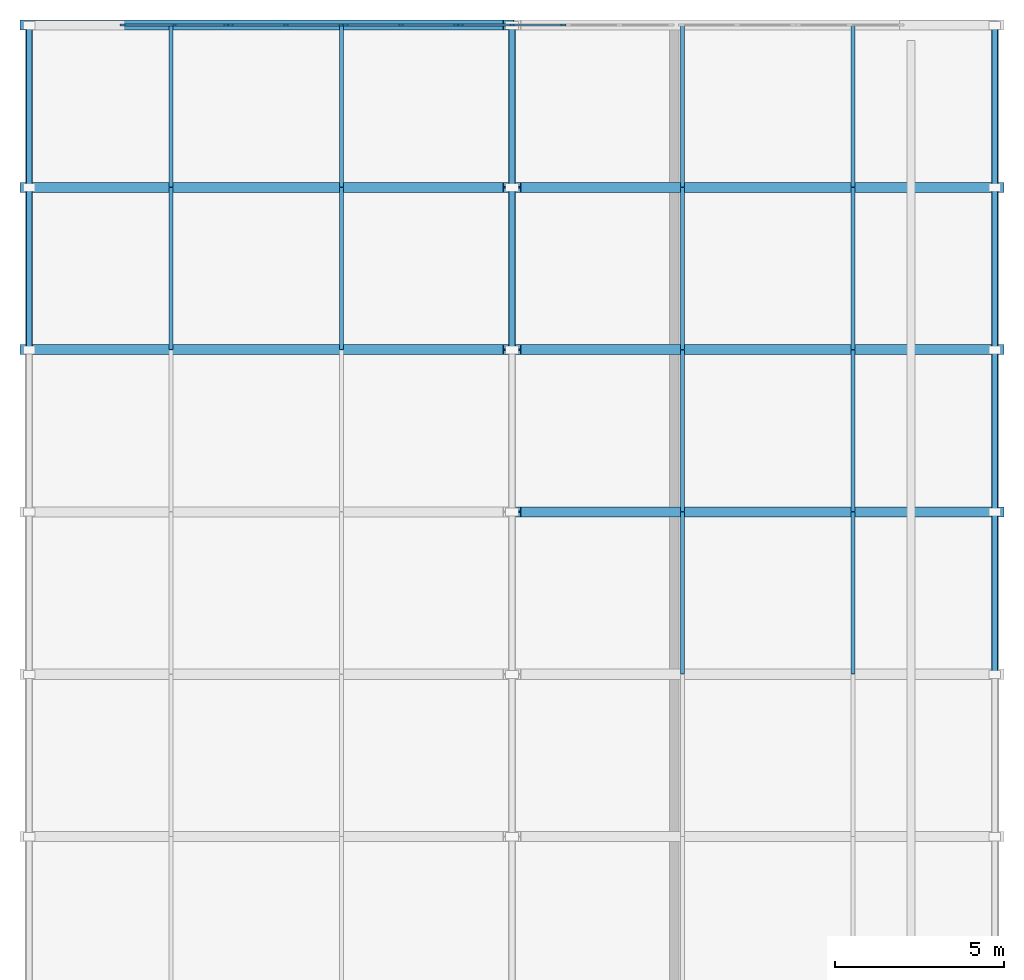
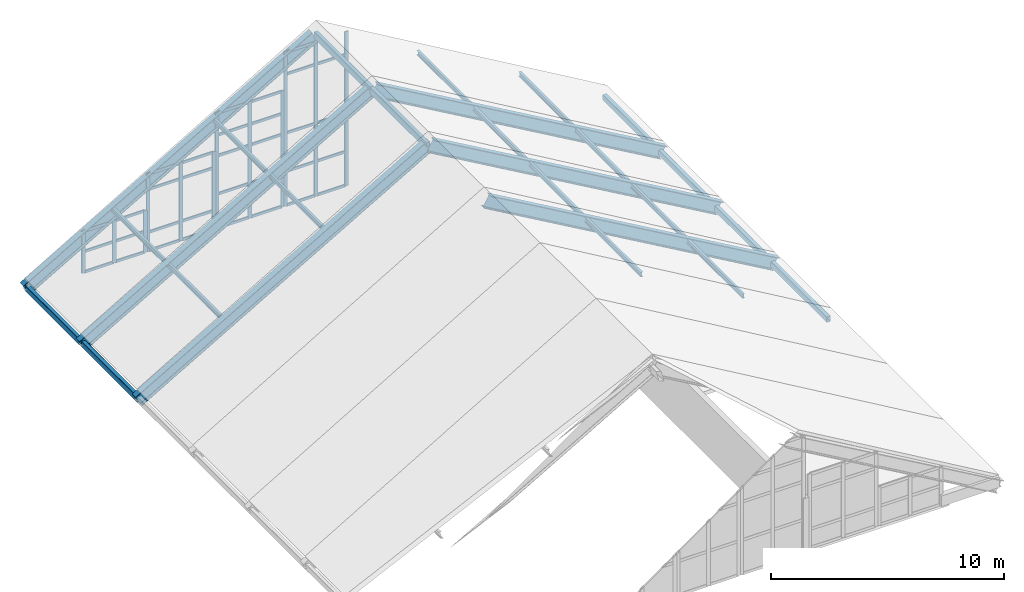
# One storey, part 3 of 7: 71 members, 4 elements without a shape of their own.
"""IFC4 building model written with IfcOpenShell, lengths in metres."""

from ifc_helpers import new_model, si_unit, direction, frame, origin, origin_2d, place, context, subcontext, project, spatial, rectangle, hollow_rectangle, i_section, extrude, material, layer, layer_set, material_profile, profile_set, type_object, element, aggregate, save


model = new_model("IFC4")

# Units and contexts
model_context = context("Model", 3, precision=1e-05, world=origin(), true_north=direction((0.0, 1.0)))
body_context = subcontext(model_context, "Body", "Model", "MODEL_VIEW")
ifc_project = project(units=[si_unit("LENGTHUNIT", "METRE"), si_unit("AREAUNIT", "SQUARE_METRE"), si_unit("VOLUMEUNIT", "CUBIC_METRE"), si_unit("PLANEANGLEUNIT", "RADIAN"), si_unit("MASSUNIT", "GRAM", prefix="KILO")], contexts=[model_context])

# Site, building, storey
site_placement = place(None, origin())
site = spatial("IfcSite", under=ifc_project, at=site_placement, CompositionType="ELEMENT")
building_placement = place(site_placement, origin())
building = spatial("IfcBuilding", under=site, at=building_placement, Name="Nordkorset Police Headquarters", CompositionType="ELEMENT")
storey_placement = place(building_placement, frame((0.0, 0.0, 36.050048828125)))
storey = spatial("IfcBuildingStorey", under=building, at=storey_placement, Name="RF", CompositionType="ELEMENT", Elevation=36.050048828125)

# Curtain wall, members
ifc_material_1 = material(Name="Aluminium alloy AW-6060", Category="aluminium")
ifc_layer_1 = layer(ifc_material_1, 0.179931640625, Name="Aluminium alloy AW-6060")
ifc_layer_set_1 = layer_set([ifc_layer_1], Name="Aluminium alloy AW-6060")
curtain_wall_type_1 = type_object("IfcCurtainWallType", Name="CW_Unit_312x221", PredefinedType="USERDEFINED", material=ifc_layer_set_1)
curtain_wall_1_placement = place(storey_placement, origin())
curtain_wall_1 = element("IfcCurtainWall", 1, at=curtain_wall_1_placement, inside=storey, type_object=curtain_wall_type_1, Name="Unitised Curtain Wall RF V1GBL-N-G1", ObjectType="UNITISED CURTAIN WALL", PredefinedType="USERDEFINED")
ifc_material_2 = material(Name="Aluminium alloy AW-6060", Category="aluminium")
ifc_material_profile_1 = material_profile(ifc_material_2, rectangle(XDim=0.06494140625, YDim=0.179931640625, at=origin_2d()), Name="ALU MULL 65x180")
ifc_profile_set_1 = profile_set([ifc_material_profile_1], Name="Aluminium alloy AW-6060")
member_type_1 = type_object("IfcMemberType", Name="CW_Mullion_65x180", PredefinedType="MULLION", material=ifc_profile_set_1)
member_1_placement = place(storey_placement, frame((2.892578125, 116.800048828125, -0.18994140625), z_axis=(0.0, 0.0, 1.0), x_axis=(0.0, 1.0, 0.0)))
member_1 = element("IfcMember", 2, at=member_1_placement, type_object=member_type_1, Name="CW-43 mullion 1", PredefinedType="MULLION", context=body_context, shape_type="SweptSolid", body=[
    extrude(rectangle(XDim=0.06494140625, YDim=0.179931640625, at=origin_2d()), origin(), (0.0, 0.0, 1.0), 2.21142578125),
])
member_2_placement = place(storey_placement, frame((4.419921875, 116.800048828125, -0.18994140625), z_axis=(0.0, 0.0, 1.0), x_axis=(0.0, 1.0, 0.0)))
member_2 = element("IfcMember", 3, at=member_2_placement, type_object=member_type_1, Name="CW-43 mullion 2", PredefinedType="MULLION", context=body_context, shape_type="SweptSolid", body=[
    extrude(rectangle(XDim=0.06494140625, YDim=0.179931640625, at=origin_2d()), origin(), (0.0, 0.0, 1.0), 2.21142578125),
])
member_3_placement = place(storey_placement, frame((5.947509765625, 116.800048828125, -0.18994140625), z_axis=(0.0, 0.0, 1.0), x_axis=(0.0, 1.0, 0.0)))
member_3 = element("IfcMember", 4, at=member_3_placement, type_object=member_type_1, Name="CW-43 mullion 3", PredefinedType="MULLION", context=body_context, shape_type="SweptSolid", body=[
    extrude(rectangle(XDim=0.06494140625, YDim=0.179931640625, at=origin_2d()), origin(), (0.0, 0.0, 1.0), 2.21142578125),
])

ifc_material_3 = material(Name="Aluminium alloy AW-6060", Category="aluminium")
ifc_layer_2 = layer(ifc_material_3, 0.179931640625, Name="Aluminium alloy AW-6060")
ifc_layer_set_2 = layer_set([ifc_layer_2], Name="Aluminium alloy AW-6060")
curtain_wall_type_2 = type_object("IfcCurtainWallType", Name="CW_Unit_332x409", PredefinedType="USERDEFINED", material=ifc_layer_set_2)
curtain_wall_2_placement = place(storey_placement, origin())
curtain_wall_2 = element("IfcCurtainWall", 5, at=curtain_wall_2_placement, inside=storey, type_object=curtain_wall_type_2, Name="Unitised Curtain Wall RF V1GBL-N-G2", ObjectType="UNITISED CURTAIN WALL", PredefinedType="USERDEFINED")
member_4_placement = place(storey_placement, frame((6.092529296875, 116.800048828125, -0.18994140625), z_axis=(0.0, 0.0, 1.0), x_axis=(0.0, 1.0, 0.0)))
member_4 = element("IfcMember", 6, at=member_4_placement, type_object=member_type_1, Name="CW-37 mullion 1", PredefinedType="MULLION", context=body_context, shape_type="SweptSolid", body=[
    extrude(rectangle(XDim=0.06494140625, YDim=0.179931640625, at=origin_2d()), origin(), (0.0, 0.0, 1.0), 4.089111328125),
])
member_5_placement = place(storey_placement, frame((7.719970703125, 116.800048828125, -0.18994140625), z_axis=(0.0, 0.0, 1.0), x_axis=(0.0, 1.0, 0.0)))
member_5 = element("IfcMember", 7, at=member_5_placement, type_object=member_type_1, Name="CW-37 mullion 2", PredefinedType="MULLION", context=body_context, shape_type="SweptSolid", body=[
    extrude(rectangle(XDim=0.06494140625, YDim=0.179931640625, at=origin_2d()), origin(), (0.0, 0.0, 1.0), 4.089111328125),
])
member_6_placement = place(storey_placement, frame((9.347412109375, 116.800048828125, -0.18994140625), z_axis=(0.0, 0.0, 1.0), x_axis=(0.0, 1.0, 0.0)))
member_6 = element("IfcMember", 8, at=member_6_placement, type_object=member_type_1, Name="CW-37 mullion 3", PredefinedType="MULLION", context=body_context, shape_type="SweptSolid", body=[
    extrude(rectangle(XDim=0.06494140625, YDim=0.179931640625, at=origin_2d()), origin(), (0.0, 0.0, 1.0), 4.089111328125),
])

ifc_material_4 = material(Name="Aluminium alloy AW-6060", Category="aluminium")
ifc_layer_3 = layer(ifc_material_4, 0.179931640625, Name="Aluminium alloy AW-6060")
ifc_layer_set_3 = layer_set([ifc_layer_3], Name="Aluminium alloy AW-6060")
curtain_wall_type_3 = type_object("IfcCurtainWallType", Name="CW_Unit_332x608", PredefinedType="USERDEFINED", material=ifc_layer_set_3)
curtain_wall_3_placement = place(storey_placement, origin())
curtain_wall_3 = element("IfcCurtainWall", 9, at=curtain_wall_3_placement, inside=storey, type_object=curtain_wall_type_3, Name="Unitised Curtain Wall RF V1GBL-N-G3", ObjectType="UNITISED CURTAIN WALL", PredefinedType="USERDEFINED")
member_7_placement = place(storey_placement, frame((9.492431640625, 116.800048828125, -0.18994140625), z_axis=(0.0, 0.0, 1.0), x_axis=(0.0, 1.0, 0.0)))
member_7 = element("IfcMember", 10, at=member_7_placement, type_object=member_type_1, Name="CW-15 mullion 1", PredefinedType="MULLION", context=body_context, shape_type="SweptSolid", body=[
    extrude(rectangle(XDim=0.06494140625, YDim=0.179931640625, at=origin_2d()), origin(), (0.0, 0.0, 1.0), 6.084228515625),
])
member_8_placement = place(storey_placement, frame((11.1201171875, 116.800048828125, -0.18994140625), z_axis=(0.0, 0.0, 1.0), x_axis=(0.0, 1.0, 0.0)))
member_8 = element("IfcMember", 11, at=member_8_placement, type_object=member_type_1, Name="CW-15 mullion 2", PredefinedType="MULLION", context=body_context, shape_type="SweptSolid", body=[
    extrude(rectangle(XDim=0.06494140625, YDim=0.179931640625, at=origin_2d()), origin(), (0.0, 0.0, 1.0), 6.084228515625),
])
member_9_placement = place(storey_placement, frame((12.74755859375, 116.800048828125, -0.18994140625), z_axis=(0.0, 0.0, 1.0), x_axis=(0.0, 1.0, 0.0)))
member_9 = element("IfcMember", 12, at=member_9_placement, type_object=member_type_1, Name="CW-15 mullion 3", PredefinedType="MULLION", context=body_context, shape_type="SweptSolid", body=[
    extrude(rectangle(XDim=0.06494140625, YDim=0.179931640625, at=origin_2d()), origin(), (0.0, 0.0, 1.0), 6.084228515625),
])

ifc_material_5 = material(Name="Aluminium alloy AW-6060", Category="aluminium")
ifc_layer_4 = layer(ifc_material_5, 0.179931640625, Name="Aluminium alloy AW-6060")
ifc_layer_set_4 = layer_set([ifc_layer_4], Name="Aluminium alloy AW-6060")
curtain_wall_type_4 = type_object("IfcCurtainWallType", Name="CW_Unit_308x808", PredefinedType="USERDEFINED", material=ifc_layer_set_4)
curtain_wall_4_placement = place(storey_placement, origin())
curtain_wall_4 = element("IfcCurtainWall", 13, at=curtain_wall_4_placement, inside=storey, type_object=curtain_wall_type_4, Name="Unitised Curtain Wall RF V1GBL-N-G4", ObjectType="UNITISED CURTAIN WALL", PredefinedType="USERDEFINED")
member_10_placement = place(storey_placement, frame((12.892578125, 116.800048828125, -0.18994140625), z_axis=(0.0, 0.0, 1.0), x_axis=(0.0, 1.0, 0.0)))
member_10 = element("IfcMember", 14, at=member_10_placement, type_object=member_type_1, Name="CW-30 mullion 1", PredefinedType="MULLION", context=body_context, shape_type="SweptSolid", body=[
    extrude(rectangle(XDim=0.06494140625, YDim=0.179931640625, at=origin_2d()), origin(), (0.0, 0.0, 1.0), 8.07958984375),
])
member_11_placement = place(storey_placement, frame((14.39990234375, 116.800048828125, -0.18994140625), z_axis=(0.0, 0.0, 1.0), x_axis=(0.0, 1.0, 0.0)))
member_11 = element("IfcMember", 15, at=member_11_placement, type_object=member_type_1, Name="CW-30 mullion 2", PredefinedType="MULLION", context=body_context, shape_type="SweptSolid", body=[
    extrude(rectangle(XDim=0.06494140625, YDim=0.179931640625, at=origin_2d()), origin(), (0.0, 0.0, 1.0), 8.07958984375),
])
member_12_placement = place(storey_placement, frame((15.907470703125, 116.800048828125, -0.18994140625), z_axis=(0.0, 0.0, 1.0), x_axis=(0.0, 1.0, 0.0)))
member_12 = element("IfcMember", 16, at=member_12_placement, type_object=member_type_1, Name="CW-30 mullion 3", PredefinedType="MULLION", context=body_context, shape_type="SweptSolid", body=[
    extrude(rectangle(XDim=0.06494140625, YDim=0.179931640625, at=origin_2d()), origin(), (0.0, 0.0, 1.0), 8.07958984375),
])

# Member
ifc_material_6 = material(Name="Aluminium alloy AW-6060", Category="aluminium")
ifc_material_profile_2 = material_profile(ifc_material_6, rectangle(XDim=0.06494140625, YDim=0.139892578125, at=origin_2d()), Name="ALU TRAN 65x140")
ifc_profile_set_2 = profile_set([ifc_material_profile_2], Name="Aluminium alloy AW-6060")
member_type_2 = type_object("IfcMemberType", Name="CW_Transom_65x140", PredefinedType="USERDEFINED", material=ifc_profile_set_2)
member_13_placement = place(storey_placement, frame((2.925048828125, 116.800048828125, -0.157470703125), z_axis=(1.0, 0.0, 0.0), x_axis=(0.0, 1.0, 0.0)))
member_13 = element("IfcMember", 17, at=member_13_placement, type_object=member_type_2, Name="CW-43 transom 1.1", ObjectType="TRANSOM", PredefinedType="USERDEFINED", context=body_context, shape_type="SweptSolid", body=[
    extrude(rectangle(XDim=0.06494140625, YDim=0.139892578125, at=origin_2d()), origin(), (0.0, 0.0, 1.0), 1.46240234375),
])

member_14_placement = place(storey_placement, frame((2.925048828125, 116.800048828125, 0.915771484375), z_axis=(1.0, 0.0, 0.0), x_axis=(0.0, 1.0, 0.0)))
member_14 = element("IfcMember", 18, at=member_14_placement, type_object=member_type_2, Name="CW-43 transom 1.2", ObjectType="TRANSOM", PredefinedType="USERDEFINED", context=body_context, shape_type="SweptSolid", body=[
    extrude(rectangle(XDim=0.06494140625, YDim=0.139892578125, at=origin_2d()), origin(), (0.0, 0.0, 1.0), 1.46240234375),
])

member_15_placement = place(storey_placement, frame((2.925048828125, 116.800048828125, 1.989013671875), z_axis=(1.0, 0.0, 0.0), x_axis=(0.0, 1.0, 0.0)))
member_15 = element("IfcMember", 19, at=member_15_placement, type_object=member_type_2, Name="CW-43 transom 1.3", ObjectType="TRANSOM", PredefinedType="USERDEFINED", context=body_context, shape_type="SweptSolid", body=[
    extrude(rectangle(XDim=0.06494140625, YDim=0.139892578125, at=origin_2d()), origin(), (0.0, 0.0, 1.0), 1.46240234375),
])

member_16_placement = place(storey_placement, frame((4.452392578125, 116.800048828125, -0.157470703125), z_axis=(1.0, 0.0, 0.0), x_axis=(0.0, 1.0, 0.0)))
member_16 = element("IfcMember", 20, at=member_16_placement, type_object=member_type_2, Name="CW-43 transom 2.1", ObjectType="TRANSOM", PredefinedType="USERDEFINED", context=body_context, shape_type="SweptSolid", body=[
    extrude(rectangle(XDim=0.06494140625, YDim=0.139892578125, at=origin_2d()), origin(), (0.0, 0.0, 1.0), 1.462646484375),
])

member_17_placement = place(storey_placement, frame((4.452392578125, 116.800048828125, 0.915771484375), z_axis=(1.0, 0.0, 0.0), x_axis=(0.0, 1.0, 0.0)))
member_17 = element("IfcMember", 21, at=member_17_placement, type_object=member_type_2, Name="CW-43 transom 2.2", ObjectType="TRANSOM", PredefinedType="USERDEFINED", context=body_context, shape_type="SweptSolid", body=[
    extrude(rectangle(XDim=0.06494140625, YDim=0.139892578125, at=origin_2d()), origin(), (0.0, 0.0, 1.0), 1.462646484375),
])

member_18_placement = place(storey_placement, frame((4.452392578125, 116.800048828125, 1.989013671875), z_axis=(1.0, 0.0, 0.0), x_axis=(0.0, 1.0, 0.0)))
member_18 = element("IfcMember", 22, at=member_18_placement, type_object=member_type_2, Name="CW-43 transom 2.3", ObjectType="TRANSOM", PredefinedType="USERDEFINED", context=body_context, shape_type="SweptSolid", body=[
    extrude(rectangle(XDim=0.06494140625, YDim=0.139892578125, at=origin_2d()), origin(), (0.0, 0.0, 1.0), 1.462646484375),
])

aggregate(curtain_wall_1, [member_1, member_2, member_3, member_13, member_14, member_15, member_16, member_17, member_18])

member_19_placement = place(storey_placement, frame((6.125, 116.800048828125, -0.157470703125), z_axis=(1.0, 0.0, 0.0), x_axis=(0.0, 1.0, 0.0)))
member_19 = element("IfcMember", 23, at=member_19_placement, type_object=member_type_2, Name="CW-37 transom 1.1", ObjectType="TRANSOM", PredefinedType="USERDEFINED", context=body_context, shape_type="SweptSolid", body=[
    extrude(rectangle(XDim=0.06494140625, YDim=0.139892578125, at=origin_2d()), origin(), (0.0, 0.0, 1.0), 1.5625),
])

member_20_placement = place(storey_placement, frame((6.125, 116.800048828125, 0.81005859375), z_axis=(1.0, 0.0, 0.0), x_axis=(0.0, 1.0, 0.0)))
member_20 = element("IfcMember", 24, at=member_20_placement, type_object=member_type_2, Name="CW-37 transom 1.2", ObjectType="TRANSOM", PredefinedType="USERDEFINED", context=body_context, shape_type="SweptSolid", body=[
    extrude(rectangle(XDim=0.06494140625, YDim=0.139892578125, at=origin_2d()), origin(), (0.0, 0.0, 1.0), 1.5625),
])

member_21_placement = place(storey_placement, frame((6.125, 116.800048828125, 3.04931640625), z_axis=(1.0, 0.0, 0.0), x_axis=(0.0, 1.0, 0.0)))
member_21 = element("IfcMember", 25, at=member_21_placement, type_object=member_type_2, Name="CW-37 transom 1.3", ObjectType="TRANSOM", PredefinedType="USERDEFINED", context=body_context, shape_type="SweptSolid", body=[
    extrude(rectangle(XDim=0.06494140625, YDim=0.139892578125, at=origin_2d()), origin(), (0.0, 0.0, 1.0), 1.5625),
])

member_22_placement = place(storey_placement, frame((6.125, 116.800048828125, 3.86669921875), z_axis=(1.0, 0.0, 0.0), x_axis=(0.0, 1.0, 0.0)))
member_22 = element("IfcMember", 26, at=member_22_placement, type_object=member_type_2, Name="CW-37 transom 1.4", ObjectType="TRANSOM", PredefinedType="USERDEFINED", context=body_context, shape_type="SweptSolid", body=[
    extrude(rectangle(XDim=0.06494140625, YDim=0.139892578125, at=origin_2d()), origin(), (0.0, 0.0, 1.0), 1.5625),
])

member_23_placement = place(storey_placement, frame((7.75244140625, 116.800048828125, -0.157470703125), z_axis=(1.0, 0.0, 0.0), x_axis=(0.0, 1.0, 0.0)))
member_23 = element("IfcMember", 27, at=member_23_placement, type_object=member_type_2, Name="CW-37 transom 2.1", ObjectType="TRANSOM", PredefinedType="USERDEFINED", context=body_context, shape_type="SweptSolid", body=[
    extrude(rectangle(XDim=0.06494140625, YDim=0.139892578125, at=origin_2d()), origin(), (0.0, 0.0, 1.0), 1.5625),
])

member_24_placement = place(storey_placement, frame((7.75244140625, 116.800048828125, 0.81005859375), z_axis=(1.0, 0.0, 0.0), x_axis=(0.0, 1.0, 0.0)))
member_24 = element("IfcMember", 28, at=member_24_placement, type_object=member_type_2, Name="CW-37 transom 2.2", ObjectType="TRANSOM", PredefinedType="USERDEFINED", context=body_context, shape_type="SweptSolid", body=[
    extrude(rectangle(XDim=0.06494140625, YDim=0.139892578125, at=origin_2d()), origin(), (0.0, 0.0, 1.0), 1.5625),
])

member_25_placement = place(storey_placement, frame((7.75244140625, 116.800048828125, 3.04931640625), z_axis=(1.0, 0.0, 0.0), x_axis=(0.0, 1.0, 0.0)))
member_25 = element("IfcMember", 29, at=member_25_placement, type_object=member_type_2, Name="CW-37 transom 2.3", ObjectType="TRANSOM", PredefinedType="USERDEFINED", context=body_context, shape_type="SweptSolid", body=[
    extrude(rectangle(XDim=0.06494140625, YDim=0.139892578125, at=origin_2d()), origin(), (0.0, 0.0, 1.0), 1.5625),
])

member_26_placement = place(storey_placement, frame((7.75244140625, 116.800048828125, 3.86669921875), z_axis=(1.0, 0.0, 0.0), x_axis=(0.0, 1.0, 0.0)))
member_26 = element("IfcMember", 30, at=member_26_placement, type_object=member_type_2, Name="CW-37 transom 2.4", ObjectType="TRANSOM", PredefinedType="USERDEFINED", context=body_context, shape_type="SweptSolid", body=[
    extrude(rectangle(XDim=0.06494140625, YDim=0.139892578125, at=origin_2d()), origin(), (0.0, 0.0, 1.0), 1.5625),
])

aggregate(curtain_wall_2, [member_4, member_5, member_6, member_19, member_20, member_21, member_22, member_23, member_24, member_25, member_26])

member_27_placement = place(storey_placement, frame((9.52490234375, 116.800048828125, -0.157470703125), z_axis=(1.0, 0.0, 0.0), x_axis=(0.0, 1.0, 0.0)))
member_27 = element("IfcMember", 31, at=member_27_placement, type_object=member_type_2, Name="CW-15 transom 1.1", ObjectType="TRANSOM", PredefinedType="USERDEFINED", context=body_context, shape_type="SweptSolid", body=[
    extrude(rectangle(XDim=0.06494140625, YDim=0.139892578125, at=origin_2d()), origin(), (0.0, 0.0, 1.0), 1.5625),
])

member_28_placement = place(storey_placement, frame((9.52490234375, 116.800048828125, 1.60986328125), z_axis=(1.0, 0.0, 0.0), x_axis=(0.0, 1.0, 0.0)))
member_28 = element("IfcMember", 32, at=member_28_placement, type_object=member_type_2, Name="CW-15 transom 1.2", ObjectType="TRANSOM", PredefinedType="USERDEFINED", context=body_context, shape_type="SweptSolid", body=[
    extrude(rectangle(XDim=0.06494140625, YDim=0.139892578125, at=origin_2d()), origin(), (0.0, 0.0, 1.0), 1.5625),
])

member_29_placement = place(storey_placement, frame((9.52490234375, 116.800048828125, 3.60986328125), z_axis=(1.0, 0.0, 0.0), x_axis=(0.0, 1.0, 0.0)))
member_29 = element("IfcMember", 33, at=member_29_placement, type_object=member_type_2, Name="CW-15 transom 1.3", ObjectType="TRANSOM", PredefinedType="USERDEFINED", context=body_context, shape_type="SweptSolid", body=[
    extrude(rectangle(XDim=0.06494140625, YDim=0.139892578125, at=origin_2d()), origin(), (0.0, 0.0, 1.0), 1.5625),
])

member_30_placement = place(storey_placement, frame((9.52490234375, 116.800048828125, 4.6943359375), z_axis=(1.0, 0.0, 0.0), x_axis=(0.0, 1.0, 0.0)))
member_30 = element("IfcMember", 34, at=member_30_placement, type_object=member_type_2, Name="CW-15 transom 1.4", ObjectType="TRANSOM", PredefinedType="USERDEFINED", context=body_context, shape_type="SweptSolid", body=[
    extrude(rectangle(XDim=0.06494140625, YDim=0.139892578125, at=origin_2d()), origin(), (0.0, 0.0, 1.0), 1.5625),
])

member_31_placement = place(storey_placement, frame((9.52490234375, 116.800048828125, 5.86181640625), z_axis=(1.0, 0.0, 0.0), x_axis=(0.0, 1.0, 0.0)))
member_31 = element("IfcMember", 35, at=member_31_placement, type_object=member_type_2, Name="CW-15 transom 1.5", ObjectType="TRANSOM", PredefinedType="USERDEFINED", context=body_context, shape_type="SweptSolid", body=[
    extrude(rectangle(XDim=0.06494140625, YDim=0.139892578125, at=origin_2d()), origin(), (0.0, 0.0, 1.0), 1.5625),
])

member_32_placement = place(storey_placement, frame((11.152587890625, 116.800048828125, -0.157470703125), z_axis=(1.0, 0.0, 0.0), x_axis=(0.0, 1.0, 0.0)))
member_32 = element("IfcMember", 36, at=member_32_placement, type_object=member_type_2, Name="CW-15 transom 2.1", ObjectType="TRANSOM", PredefinedType="USERDEFINED", context=body_context, shape_type="SweptSolid", body=[
    extrude(rectangle(XDim=0.06494140625, YDim=0.139892578125, at=origin_2d()), origin(), (0.0, 0.0, 1.0), 1.5625),
])

member_33_placement = place(storey_placement, frame((11.152587890625, 116.800048828125, 1.60986328125), z_axis=(1.0, 0.0, 0.0), x_axis=(0.0, 1.0, 0.0)))
member_33 = element("IfcMember", 37, at=member_33_placement, type_object=member_type_2, Name="CW-15 transom 2.2", ObjectType="TRANSOM", PredefinedType="USERDEFINED", context=body_context, shape_type="SweptSolid", body=[
    extrude(rectangle(XDim=0.06494140625, YDim=0.139892578125, at=origin_2d()), origin(), (0.0, 0.0, 1.0), 1.5625),
])

member_34_placement = place(storey_placement, frame((11.152587890625, 116.800048828125, 3.60986328125), z_axis=(1.0, 0.0, 0.0), x_axis=(0.0, 1.0, 0.0)))
member_34 = element("IfcMember", 38, at=member_34_placement, type_object=member_type_2, Name="CW-15 transom 2.3", ObjectType="TRANSOM", PredefinedType="USERDEFINED", context=body_context, shape_type="SweptSolid", body=[
    extrude(rectangle(XDim=0.06494140625, YDim=0.139892578125, at=origin_2d()), origin(), (0.0, 0.0, 1.0), 1.5625),
])

member_35_placement = place(storey_placement, frame((11.152587890625, 116.800048828125, 4.6943359375), z_axis=(1.0, 0.0, 0.0), x_axis=(0.0, 1.0, 0.0)))
member_35 = element("IfcMember", 39, at=member_35_placement, type_object=member_type_2, Name="CW-15 transom 2.4", ObjectType="TRANSOM", PredefinedType="USERDEFINED", context=body_context, shape_type="SweptSolid", body=[
    extrude(rectangle(XDim=0.06494140625, YDim=0.139892578125, at=origin_2d()), origin(), (0.0, 0.0, 1.0), 1.5625),
])

member_36_placement = place(storey_placement, frame((11.152587890625, 116.800048828125, 5.86181640625), z_axis=(1.0, 0.0, 0.0), x_axis=(0.0, 1.0, 0.0)))
member_36 = element("IfcMember", 40, at=member_36_placement, type_object=member_type_2, Name="CW-15 transom 2.5", ObjectType="TRANSOM", PredefinedType="USERDEFINED", context=body_context, shape_type="SweptSolid", body=[
    extrude(rectangle(XDim=0.06494140625, YDim=0.139892578125, at=origin_2d()), origin(), (0.0, 0.0, 1.0), 1.5625),
])

aggregate(curtain_wall_3, [member_7, member_8, member_9, member_27, member_28, member_29, member_30, member_31, member_32, member_33, member_34, member_35, member_36])

member_37_placement = place(storey_placement, frame((12.925048828125, 116.800048828125, -0.157470703125), z_axis=(1.0, 0.0, 0.0), x_axis=(0.0, 1.0, 0.0)))
member_37 = element("IfcMember", 41, at=member_37_placement, type_object=member_type_2, Name="CW-30 transom 1.1", ObjectType="TRANSOM", PredefinedType="USERDEFINED", context=body_context, shape_type="SweptSolid", body=[
    extrude(rectangle(XDim=0.06494140625, YDim=0.139892578125, at=origin_2d()), origin(), (0.0, 0.0, 1.0), 1.4423828125),
])

member_38_placement = place(storey_placement, frame((12.925048828125, 116.800048828125, 1.60986328125), z_axis=(1.0, 0.0, 0.0), x_axis=(0.0, 1.0, 0.0)))
member_38 = element("IfcMember", 42, at=member_38_placement, type_object=member_type_2, Name="CW-30 transom 1.2", ObjectType="TRANSOM", PredefinedType="USERDEFINED", context=body_context, shape_type="SweptSolid", body=[
    extrude(rectangle(XDim=0.06494140625, YDim=0.139892578125, at=origin_2d()), origin(), (0.0, 0.0, 1.0), 1.4423828125),
])

member_39_placement = place(storey_placement, frame((12.925048828125, 116.800048828125, 3.60986328125), z_axis=(1.0, 0.0, 0.0), x_axis=(0.0, 1.0, 0.0)))
member_39 = element("IfcMember", 43, at=member_39_placement, type_object=member_type_2, Name="CW-30 transom 1.3", ObjectType="TRANSOM", PredefinedType="USERDEFINED", context=body_context, shape_type="SweptSolid", body=[
    extrude(rectangle(XDim=0.06494140625, YDim=0.139892578125, at=origin_2d()), origin(), (0.0, 0.0, 1.0), 1.4423828125),
])

member_40_placement = place(storey_placement, frame((12.925048828125, 116.800048828125, 6.689453125), z_axis=(1.0, 0.0, 0.0), x_axis=(0.0, 1.0, 0.0)))
member_40 = element("IfcMember", 44, at=member_40_placement, type_object=member_type_2, Name="CW-30 transom 1.4", ObjectType="TRANSOM", PredefinedType="USERDEFINED", context=body_context, shape_type="SweptSolid", body=[
    extrude(rectangle(XDim=0.06494140625, YDim=0.139892578125, at=origin_2d()), origin(), (0.0, 0.0, 1.0), 1.4423828125),
])

member_41_placement = place(storey_placement, frame((12.925048828125, 116.800048828125, 7.85693359375), z_axis=(1.0, 0.0, 0.0), x_axis=(0.0, 1.0, 0.0)))
member_41 = element("IfcMember", 45, at=member_41_placement, type_object=member_type_2, Name="CW-30 transom 1.5", ObjectType="TRANSOM", PredefinedType="USERDEFINED", context=body_context, shape_type="SweptSolid", body=[
    extrude(rectangle(XDim=0.06494140625, YDim=0.139892578125, at=origin_2d()), origin(), (0.0, 0.0, 1.0), 1.4423828125),
])

member_42_placement = place(storey_placement, frame((14.4326171875, 116.800048828125, -0.157470703125), z_axis=(1.0, 0.0, 0.0), x_axis=(0.0, 1.0, 0.0)))
member_42 = element("IfcMember", 46, at=member_42_placement, type_object=member_type_2, Name="CW-30 transom 2.1", ObjectType="TRANSOM", PredefinedType="USERDEFINED", context=body_context, shape_type="SweptSolid", body=[
    extrude(rectangle(XDim=0.06494140625, YDim=0.139892578125, at=origin_2d()), origin(), (0.0, 0.0, 1.0), 1.4423828125),
])

member_43_placement = place(storey_placement, frame((14.4326171875, 116.800048828125, 1.60986328125), z_axis=(1.0, 0.0, 0.0), x_axis=(0.0, 1.0, 0.0)))
member_43 = element("IfcMember", 47, at=member_43_placement, type_object=member_type_2, Name="CW-30 transom 2.2", ObjectType="TRANSOM", PredefinedType="USERDEFINED", context=body_context, shape_type="SweptSolid", body=[
    extrude(rectangle(XDim=0.06494140625, YDim=0.139892578125, at=origin_2d()), origin(), (0.0, 0.0, 1.0), 1.4423828125),
])

member_44_placement = place(storey_placement, frame((14.4326171875, 116.800048828125, 3.60986328125), z_axis=(1.0, 0.0, 0.0), x_axis=(0.0, 1.0, 0.0)))
member_44 = element("IfcMember", 48, at=member_44_placement, type_object=member_type_2, Name="CW-30 transom 2.3", ObjectType="TRANSOM", PredefinedType="USERDEFINED", context=body_context, shape_type="SweptSolid", body=[
    extrude(rectangle(XDim=0.06494140625, YDim=0.139892578125, at=origin_2d()), origin(), (0.0, 0.0, 1.0), 1.4423828125),
])

member_45_placement = place(storey_placement, frame((14.4326171875, 116.800048828125, 6.689453125), z_axis=(1.0, 0.0, 0.0), x_axis=(0.0, 1.0, 0.0)))
member_45 = element("IfcMember", 49, at=member_45_placement, type_object=member_type_2, Name="CW-30 transom 2.4", ObjectType="TRANSOM", PredefinedType="USERDEFINED", context=body_context, shape_type="SweptSolid", body=[
    extrude(rectangle(XDim=0.06494140625, YDim=0.139892578125, at=origin_2d()), origin(), (0.0, 0.0, 1.0), 1.4423828125),
])

aggregate(curtain_wall_4, [member_10, member_11, member_12, member_37, member_38, member_39, member_40, member_41, member_42, member_43, member_44, member_45])

# Members
ifc_material_7 = material(Name="Steel S355J2", Category="steel")
ifc_material_profile_3 = material_profile(ifc_material_7, hollow_rectangle(XDim=0.199951171875, YDim=0.300048828125, WallThickness=0.012451171875, InnerFilletRadius=0.012451171875, OuterFilletRadius=0.02490234375, at=origin_2d()), Name="RHS 300x200x12.5")
ifc_profile_set_3 = profile_set([ifc_material_profile_3], Name="Steel S355J2")
member_type_3 = type_object("IfcMemberType", Name="Chord_RHS_300x200x12.5", PredefinedType="CHORD", material=ifc_profile_set_3)
for number, where, z_axis, x_axis, name in (
    (50, (28.679931640625, 97.60693359375, -0.010009765625), (0.0, 1.0, 0.0), (-1.0, 0.0, 0.0), "Folded-Plate Roof Eaves Chord E Bay 4"),
    (51, (28.679931640625, 102.406982421875, -0.010009765625), (0.0, 1.0, 0.0), (-1.0, 0.0, 0.0), "Folded-Plate Roof Eaves Chord E Bay 5"),
):
    element("IfcMember", number, at=place(storey_placement, frame(where, z_axis=z_axis, x_axis=x_axis)), inside=storey, type_object=member_type_3, Name=name, PredefinedType="CHORD", context=body_context, shape_type="SweptSolid", body=[
        extrude(hollow_rectangle(XDim=0.199951171875, YDim=0.300048828125, WallThickness=0.012451171875, InnerFilletRadius=0.012451171875, OuterFilletRadius=0.02490234375, at=origin_2d()), origin(), (0.0, 0.0, 1.0), 4.7861328125),
    ])
for number, where, z_axis, x_axis, name in (
    (52, (0.1201171875, 107.20703125, -0.010009765625), (0.0, 1.0, 0.0), (-1.0, 0.0, 0.0), "Folded-Plate Roof Eaves Chord W Bay 6"),
    (53, (28.679931640625, 107.20703125, -0.010009765625), (0.0, 1.0, 0.0), (-1.0, 0.0, 0.0), "Folded-Plate Roof Eaves Chord E Bay 6"),
    (54, (0.1201171875, 112.007080078125, -0.010009765625), (0.0, 1.0, 0.0), (-1.0, 0.0, 0.0), "Folded-Plate Roof Eaves Chord W Bay 7"),
    (55, (28.679931640625, 112.007080078125, -0.010009765625), (0.0, 1.0, 0.0), (-1.0, 0.0, 0.0), "Folded-Plate Roof Eaves Chord E Bay 7"),
):
    element("IfcMember", number, at=place(storey_placement, frame(where, z_axis=z_axis, x_axis=x_axis)), inside=storey, type_object=member_type_3, Name=name, PredefinedType="CHORD", context=body_context, shape_type="SweptSolid", body=[
        extrude(hollow_rectangle(XDim=0.199951171875, YDim=0.300048828125, WallThickness=0.012451171875, InnerFilletRadius=0.012451171875, OuterFilletRadius=0.02490234375, at=origin_2d()), origin(), (0.0, 0.0, 1.0), 4.785888671875),
    ])
ifc_material_8 = material(Name="Steel S355J2", Category="steel")
ifc_material_profile_4 = material_profile(ifc_material_8, hollow_rectangle(XDim=0.199951171875, YDim=0.35009765625, WallThickness=0.012451171875, InnerFilletRadius=0.012451171875, OuterFilletRadius=0.02490234375, at=origin_2d()), Name="RHS 350x200x12.5")
ifc_profile_set_4 = profile_set([ifc_material_profile_4], Name="Steel S355J2")
member_type_4 = type_object("IfcMemberType", Name="Chord_RHS_350x200x12.5", PredefinedType="CHORD", material=ifc_profile_set_4)
for number, where, z_axis, x_axis, name in (
    (56, (14.39990234375, 107.20703125, 8.25), (0.0, 1.0, 0.0), (-1.0, 0.0, 0.0), "Folded-Plate Roof Ridge Chord Bay 6"),
    (57, (14.39990234375, 112.007080078125, 8.25), (0.0, 1.0, 0.0), (-1.0, 0.0, 0.0), "Folded-Plate Roof Ridge Chord Bay 7"),
):
    element("IfcMember", number, at=place(storey_placement, frame(where, z_axis=z_axis, x_axis=x_axis)), inside=storey, type_object=member_type_4, Name=name, PredefinedType="CHORD", context=body_context, shape_type="SweptSolid", body=[
        extrude(hollow_rectangle(XDim=0.199951171875, YDim=0.35009765625, WallThickness=0.012451171875, InnerFilletRadius=0.012451171875, OuterFilletRadius=0.02490234375, at=origin_2d()), origin(), (0.0, 0.0, 1.0), 4.785888671875),
    ])
ifc_material_9 = material(Name="Steel S355J2", Category="steel")
ifc_material_profile_5 = material_profile(ifc_material_9, i_section(OverallWidth=0.1201171875, OverallDepth=0.239990234375, WebThickness=0.006103515625, FlangeThickness=0.009765625, FilletRadius=0.014892578125, at=origin_2d()), Name="IPE 240")
ifc_profile_set_5 = profile_set([ifc_material_profile_5], Name="Steel S355J2")
member_type_5 = type_object("IfcMemberType", Name="Purlin_IPE_240", PredefinedType="PURLIN", material=ifc_profile_set_5)
for number, where, z_axis, x_axis, name in (
    (58, (24.47998046875, 97.60693359375, 2.66796875), (0.0, 1.0, 0.0), (-1.0, 0.0, 0.0), "Folded-Plate Roof Purlin E Bay 4"),
    (59, (19.43994140625, 97.60693359375, 5.558837890625), (0.0, 1.0, 0.0), (-1.0, 0.0, 0.0), "Folded-Plate Roof Purlin E Bay 4"),
    (60, (24.47998046875, 102.406982421875, 2.66796875), (0.0, 1.0, 0.0), (-1.0, 0.0, 0.0), "Folded-Plate Roof Purlin E Bay 5"),
    (61, (19.43994140625, 102.406982421875, 5.558837890625), (0.0, 1.0, 0.0), (-1.0, 0.0, 0.0), "Folded-Plate Roof Purlin E Bay 5"),
):
    element("IfcMember", number, at=place(storey_placement, frame(where, z_axis=z_axis, x_axis=x_axis)), inside=storey, type_object=member_type_5, Name=name, PredefinedType="PURLIN", context=body_context, shape_type="SweptSolid", body=[
        extrude(i_section(OverallWidth=0.1201171875, OverallDepth=0.239990234375, WebThickness=0.006103515625, FlangeThickness=0.009765625, FilletRadius=0.014892578125, at=origin_2d()), origin(), (0.0, 0.0, 1.0), 4.7861328125),
    ])
for number, where, z_axis, x_axis, name in (
    (62, (4.320068359375, 107.20703125, 2.66796875), (0.0, 1.0, 0.0), (-1.0, 0.0, 0.0), "Folded-Plate Roof Purlin W Bay 6"),
    (63, (24.47998046875, 107.20703125, 2.66796875), (0.0, 1.0, 0.0), (-1.0, 0.0, 0.0), "Folded-Plate Roof Purlin E Bay 6"),
    (64, (9.360107421875, 107.20703125, 5.558837890625), (0.0, 1.0, 0.0), (-1.0, 0.0, 0.0), "Folded-Plate Roof Purlin W Bay 6"),
    (65, (19.43994140625, 107.20703125, 5.558837890625), (0.0, 1.0, 0.0), (-1.0, 0.0, 0.0), "Folded-Plate Roof Purlin E Bay 6"),
    (66, (4.320068359375, 112.007080078125, 2.66796875), (0.0, 1.0, 0.0), (-1.0, 0.0, 0.0), "Folded-Plate Roof Purlin W Bay 7"),
    (67, (24.47998046875, 112.007080078125, 2.66796875), (0.0, 1.0, 0.0), (-1.0, 0.0, 0.0), "Folded-Plate Roof Purlin E Bay 7"),
    (68, (9.360107421875, 112.007080078125, 5.558837890625), (0.0, 1.0, 0.0), (-1.0, 0.0, 0.0), "Folded-Plate Roof Purlin W Bay 7"),
    (69, (19.43994140625, 112.007080078125, 5.558837890625), (0.0, 1.0, 0.0), (-1.0, 0.0, 0.0), "Folded-Plate Roof Purlin E Bay 7"),
):
    element("IfcMember", number, at=place(storey_placement, frame(where, z_axis=z_axis, x_axis=x_axis)), inside=storey, type_object=member_type_5, Name=name, PredefinedType="PURLIN", context=body_context, shape_type="SweptSolid", body=[
        extrude(i_section(OverallWidth=0.1201171875, OverallDepth=0.239990234375, WebThickness=0.006103515625, FlangeThickness=0.009765625, FilletRadius=0.014892578125, at=origin_2d()), origin(), (0.0, 0.0, 1.0), 4.785888671875),
    ])
ifc_material_10 = material(Name="Steel S355J2", Category="steel")
ifc_material_profile_6 = material_profile(ifc_material_10, i_section(OverallWidth=0.300048828125, OverallDepth=0.639892578125, WebThickness=0.013427734375, FlangeThickness=0.02587890625, FilletRadius=0.027099609375, at=origin_2d()), Name="HEA 650")
ifc_profile_set_6 = profile_set([ifc_material_profile_6], Name="Steel S355J2")
member_type_6 = type_object("IfcMemberType", Name="Rafter_HEA_650", PredefinedType="RAFTER", material=ifc_profile_set_6)
for number, where, z_axis, x_axis, name in (
    (70, (28.7919921875, 102.39990234375, -0.010009765625), (-0.865801712235, 0.0, 0.500387245132), (0.0, -1.0, 0.0), "Folded-Plate Roof Rafter East 5"),
    (71, (0.008056640625, 107.199951171875, -0.010009765625), (0.865801712235, 0.0, 0.500387245132), (0.0, 1.0, 0.0), "Folded-Plate Roof Rafter West 6"),
    (72, (28.7919921875, 107.199951171875, -0.010009765625), (-0.865801712235, 0.0, 0.500387245132), (0.0, -1.0, 0.0), "Folded-Plate Roof Rafter East 6"),
    (73, (0.008056640625, 112.0, -0.010009765625), (0.865801712235, 0.0, 0.500387245132), (0.0, 1.0, 0.0), "Folded-Plate Roof Rafter West 7"),
    (74, (28.7919921875, 112.0, -0.010009765625), (-0.865801712235, 0.0, 0.500387245132), (0.0, -1.0, 0.0), "Folded-Plate Roof Rafter East 7"),
    (75, (0.008056640625, 116.800048828125, -0.010009765625), (0.865801712235, 0.0, 0.500387245132), (0.0, 1.0, 0.0), "Folded-Plate Roof Rafter West 8"),
):
    element("IfcMember", number, at=place(storey_placement, frame(where, z_axis=z_axis, x_axis=x_axis)), inside=storey, type_object=member_type_6, Name=name, PredefinedType="RAFTER", context=body_context, shape_type="SweptSolid", body=[
        extrude(i_section(OverallWidth=0.300048828125, OverallDepth=0.639892578125, WebThickness=0.013427734375, FlangeThickness=0.02587890625, FilletRadius=0.027099609375, at=origin_2d()), origin(), (0.0, 0.0, 1.0), 16.50732421875),
    ])

save(model, "model.ifc")
